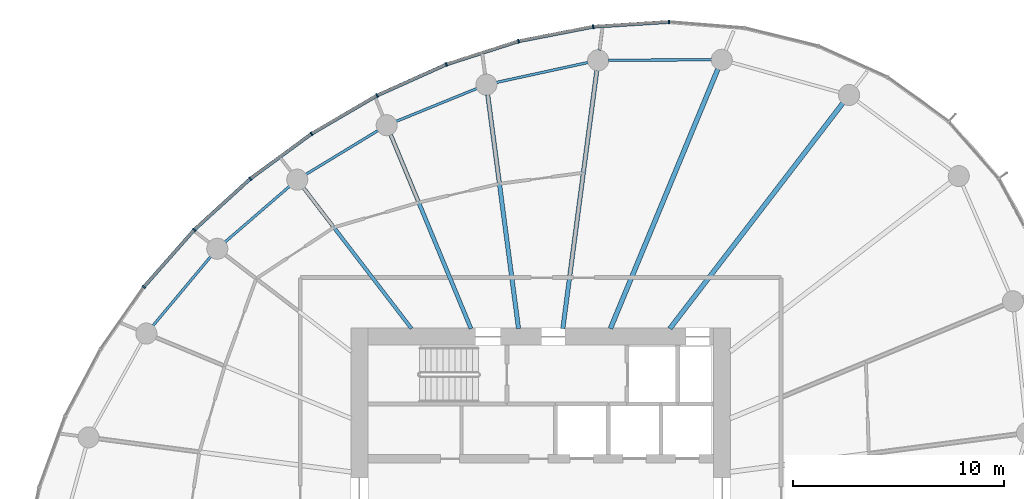
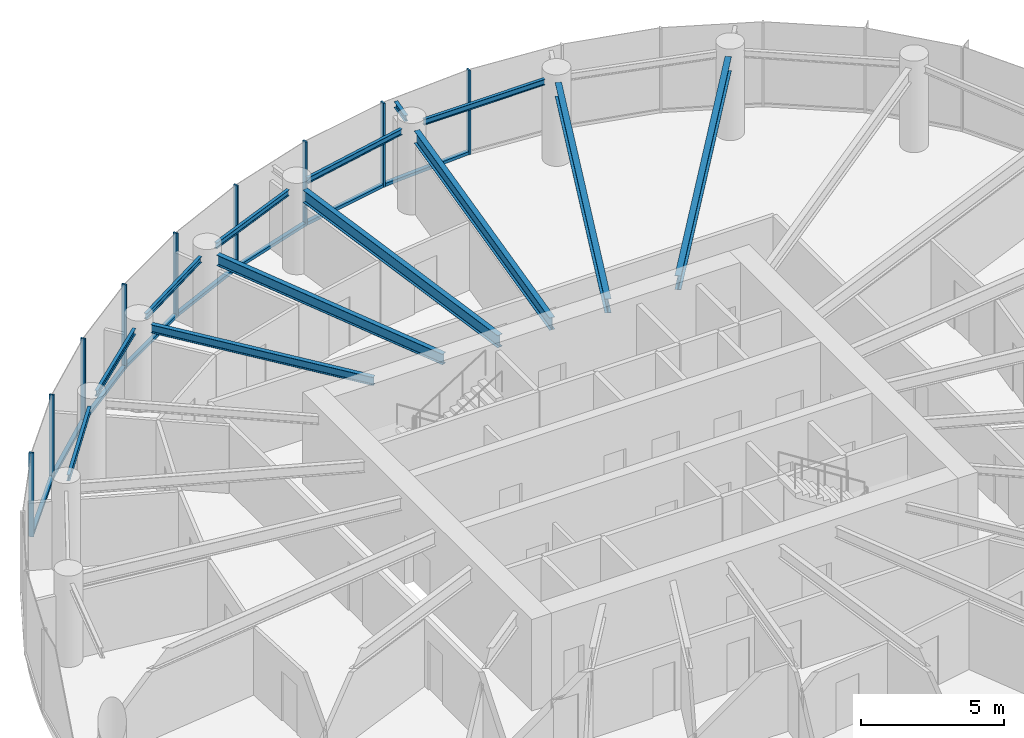
# One storey, part 5 of 14: 17 members, 13 beams, 3 elements without a shape of their own.
"""IFC4 building model written with IfcOpenShell, lengths in metres."""

from ifc_helpers import new_model, si_unit, direction, frame, origin, origin_2d, place, context, subcontext, project, spatial, rectangle, i_section, extrude, source, transform, mapped, material, layer, layer_set, material_profile, profile_set, type_object, element, aggregate, save


model = new_model("IFC4")

# Units and contexts
model_context = context("Model", 3, precision=1e-05, world=origin(), true_north=direction((0.0, 1.0)))
body_context = subcontext(model_context, "Body", "Model", "MODEL_VIEW")
ifc_project = project(units=[si_unit("LENGTHUNIT", "METRE"), si_unit("AREAUNIT", "SQUARE_METRE"), si_unit("VOLUMEUNIT", "CUBIC_METRE"), si_unit("PLANEANGLEUNIT", "RADIAN"), si_unit("MASSUNIT", "GRAM", prefix="KILO")], contexts=[model_context])

# Site, building, storey
site_placement = place(None, origin())
site = spatial("IfcSite", under=ifc_project, at=site_placement, CompositionType="ELEMENT")
building_placement = place(site_placement, origin())
building = spatial("IfcBuilding", under=site, at=building_placement, Name="Spindrift Exchange Tower", CompositionType="ELEMENT")
storey_placement = place(building_placement, frame((0.0, 0.0, 156.5)))
storey = spatial("IfcBuildingStorey", under=building, at=storey_placement, Name="L37", CompositionType="ELEMENT", Elevation=156.5)

# Beams
ifc_material_1 = material(Name="Steel Grade 300", Category="steel")
ifc_material_profile_1 = material_profile(ifc_material_1, i_section(OverallWidth=0.1240234375, OverallDepth=0.248046875, WebThickness=0.0048828125, FlangeThickness=0.008056640625, FilletRadius=0.011962890625, at=origin_2d()), Name="250UB25.7")
ifc_profile_set_1 = profile_set([ifc_material_profile_1], Name="Steel Grade 300")
beam_type_1 = type_object("IfcBeamType", Name="Edge Beam 250UB25.7 Steel Grade 300", PredefinedType="SPANDREL", material=ifc_profile_set_1)
shared_shape_1 = source(origin(), body_context, "Body", "SweptSolid", [
    extrude(i_section(OverallWidth=0.1240234375, OverallDepth=0.248046875, WebThickness=0.0048828125, FlangeThickness=0.008056640625, FilletRadius=0.011962890625, at=origin_2d()), origin(), (0.0, 0.0, 1.0), 4.901123046875),
])
beam_1_placement = place(storey_placement, frame((60.10693359375, 68.728759765625, 3.4560546875), z_axis=(-0.999990609444, -0.004333707747, 0.0), x_axis=(0.004333707747, -0.999990609444, 0.0)))
element("IfcBeam", 1, at=beam_1_placement, inside=storey, type_object=beam_type_1, Name="L37 edge beam E05", PredefinedType="SPANDREL", context=body_context, shape_type="MappedRepresentation", body=[
    mapped(shared_shape_1, transform((0.0, 0.0, 0.0), scale=1.0)),
])
shared_shape_2 = source(origin(), body_context, "Body", "SweptSolid", [
    extrude(i_section(OverallWidth=0.1240234375, OverallDepth=0.248046875, WebThickness=0.0048828125, FlangeThickness=0.008056640625, FilletRadius=0.011962890625, at=origin_2d()), origin(), (0.0, 0.0, 1.0), 4.464111328125),
])
beam_2_placement = place(storey_placement, frame((54.2568359375, 68.603271484375, 3.4560546875), z_axis=(-0.977095837978, -0.212799726048, 0.0), x_axis=(0.212799726048, -0.977095837978, 0.0)))
element("IfcBeam", 2, at=beam_2_placement, inside=storey, type_object=beam_type_1, Name="L37 edge beam E06", PredefinedType="SPANDREL", context=body_context, shape_type="MappedRepresentation", body=[
    mapped(shared_shape_2, transform((0.0, 0.0, 0.0), scale=1.0)),
])
shared_shape_3 = source(origin(), body_context, "Body", "SweptSolid", [
    extrude(i_section(OverallWidth=0.1240234375, OverallDepth=0.248046875, WebThickness=0.0048828125, FlangeThickness=0.008056640625, FilletRadius=0.011962890625, at=origin_2d()), origin(), (0.0, 0.0, 1.0), 4.143798828125),
])
beam_3_placement = place(storey_placement, frame((48.9814453125, 67.3701171875, 3.4560546875), z_axis=(-0.926113706975, -0.377244485385, 0.0), x_axis=(0.377244485385, -0.926113706975, 0.0)))
element("IfcBeam", 3, at=beam_3_placement, inside=storey, type_object=beam_type_1, Name="L37 edge beam E07", PredefinedType="SPANDREL", context=body_context, shape_type="MappedRepresentation", body=[
    mapped(shared_shape_3, transform((0.0, 0.0, 0.0), scale=1.0)),
])
shared_shape_4 = source(origin(), body_context, "Body", "SweptSolid", [
    extrude(i_section(OverallWidth=0.1240234375, OverallDepth=0.248046875, WebThickness=0.0048828125, FlangeThickness=0.008056640625, FilletRadius=0.011962890625, at=origin_2d()), origin(), (0.0, 0.0, 1.0), 4.00634765625),
])
beam_4_placement = place(storey_placement, frame((44.2890625, 65.376220703125, 3.4560546875), z_axis=(-0.854331495603, -0.519728482596, 0.0), x_axis=(0.519728482596, -0.854331495603, 0.0)))
element("IfcBeam", 4, at=beam_4_placement, inside=storey, type_object=beam_type_1, Name="L37 edge beam E08", PredefinedType="SPANDREL", context=body_context, shape_type="MappedRepresentation", body=[
    mapped(shared_shape_4, transform((0.0, 0.0, 0.0), scale=1.0)),
])
shared_shape_5 = source(origin(), body_context, "Body", "SweptSolid", [
    extrude(i_section(OverallWidth=0.1240234375, OverallDepth=0.248046875, WebThickness=0.0048828125, FlangeThickness=0.008056640625, FilletRadius=0.011962890625, at=origin_2d()), origin(), (0.0, 0.0, 1.0), 4.052001953125),
])
beam_5_placement = place(storey_placement, frame((40.093017578125, 62.730712890625, 3.4560546875), z_axis=(-0.756715968535, -0.65374379, 0.0), x_axis=(0.65374379, -0.756715968535, 0.0)))
element("IfcBeam", 5, at=beam_5_placement, inside=storey, type_object=beam_type_1, Name="L37 edge beam E09", PredefinedType="SPANDREL", context=body_context, shape_type="MappedRepresentation", body=[
    mapped(shared_shape_5, transform((0.0, 0.0, 0.0), scale=1.0)),
])
shared_shape_6 = source(origin(), body_context, "Body", "SweptSolid", [
    extrude(i_section(OverallWidth=0.1240234375, OverallDepth=0.248046875, WebThickness=0.0048828125, FlangeThickness=0.008056640625, FilletRadius=0.011962890625, at=origin_2d()), origin(), (0.0, 0.0, 1.0), 4.282958984375),
])
beam_6_placement = place(storey_placement, frame((36.355712890625, 59.399658203125, 3.4560546875), z_axis=(-0.641400288548, -0.767206406289, 0.0), x_axis=(0.767206406289, -0.641400288548, 0.0)))
element("IfcBeam", 6, at=beam_6_placement, inside=storey, type_object=beam_type_1, Name="L37 edge beam E10", PredefinedType="SPANDREL", context=body_context, shape_type="MappedRepresentation", body=[
    mapped(shared_shape_6, transform((0.0, 0.0, 0.0), scale=1.0)),
])
ifc_material_profile_2 = material_profile(ifc_material_1, i_section(OverallWidth=0.22802734375, OverallDepth=0.60205078125, WebThickness=0.010498046875, FlangeThickness=0.014892578125, FilletRadius=0.013916015625, at=origin_2d()), Name="610UB101")
ifc_profile_set_2 = profile_set([ifc_material_profile_2], Name="Steel Grade 300")
beam_type_2 = type_object("IfcBeamType", Name="Floor Beam 610UB101 Steel Grade 300", PredefinedType="BEAM", material=ifc_profile_set_2)
shared_shape_7 = source(origin(), body_context, "Body", "SweptSolid", [
    extrude(i_section(OverallWidth=0.22802734375, OverallDepth=0.60205078125, WebThickness=0.010498046875, FlangeThickness=0.014892578125, FilletRadius=0.013916015625, at=origin_2d()), origin(), (0.0, 0.0, 1.0), 13.480224609375),
])
beam_7_placement = place(storey_placement, frame((58.12646484375, 55.984130859375, 3.279052734375), z_axis=(0.608764179541, 0.793351229726, 0.0), x_axis=(-0.793351229726, 0.608764179541, 0.0)))
element("IfcBeam", 7, at=beam_7_placement, inside=storey, type_object=beam_type_2, Name="L37 radial beam R04A", PredefinedType="BEAM", context=body_context, shape_type="MappedRepresentation", body=[
    mapped(shared_shape_7, transform((0.0, 0.0, 0.0), scale=1.0)),
])
shared_shape_8 = source(origin(), body_context, "Body", "SweptSolid", [
    extrude(i_section(OverallWidth=0.22802734375, OverallDepth=0.60205078125, WebThickness=0.010498046875, FlangeThickness=0.014892578125, FilletRadius=0.013916015625, at=origin_2d()), origin(), (0.0, 0.0, 1.0), 13.31982421875),
])
beam_8_placement = place(storey_placement, frame((55.30615234375, 55.9814453125, 3.279052734375), z_axis=(0.382676632888, 0.923882348918, 0.0), x_axis=(-0.923882348918, 0.382676632888, 0.0)))
element("IfcBeam", 8, at=beam_8_placement, inside=storey, type_object=beam_type_2, Name="L37 radial beam R05A", PredefinedType="BEAM", context=body_context, shape_type="MappedRepresentation", body=[
    mapped(shared_shape_8, transform((0.0, 0.0, 0.0), scale=1.0)),
])
ifc_material_profile_3 = material_profile(ifc_material_1, i_section(OverallWidth=0.208984375, OverallDepth=0.528076171875, WebThickness=0.009521484375, FlangeThickness=0.01318359375, FilletRadius=0.013916015625, at=origin_2d()), Name="530UB82.0")
ifc_profile_set_3 = profile_set([ifc_material_profile_3], Name="Steel Grade 300")
beam_type_3 = type_object("IfcBeamType", Name="Floor Beam 530UB82.0 Steel Grade 300", PredefinedType="BEAM", material=ifc_profile_set_3)
shared_shape_9 = source(origin(), body_context, "Body", "SweptSolid", [
    extrude(i_section(OverallWidth=0.208984375, OverallDepth=0.528076171875, WebThickness=0.009521484375, FlangeThickness=0.01318359375, FilletRadius=0.013916015625, at=origin_2d()), origin(), (0.0, 0.0, 1.0), 12.35498046875),
])
beam_9_placement = place(storey_placement, frame((53.050537109375, 55.980224609375, 3.31591796875), z_axis=(0.130537831721, 0.991443328935, 0.0), x_axis=(-0.991443328935, 0.130537831721, 0.0)))
element("IfcBeam", 9, at=beam_9_placement, inside=storey, type_object=beam_type_3, Name="L37 radial beam R06A", PredefinedType="BEAM", context=body_context, shape_type="MappedRepresentation", body=[
    mapped(shared_shape_9, transform((0.0, 0.0, 0.0), scale=1.0)),
])
shared_shape_10 = source(origin(), body_context, "Body", "SweptSolid", [
    extrude(i_section(OverallWidth=0.208984375, OverallDepth=0.528076171875, WebThickness=0.009521484375, FlangeThickness=0.01318359375, FilletRadius=0.013916015625, at=origin_2d()), origin(), (0.0, 0.0, 1.0), 11.19091796875),
])
beam_10_placement = place(storey_placement, frame((50.949462890625, 55.980224609375, 3.31591796875), z_axis=(-0.130524489434, 0.991445085548, 0.0), x_axis=(-0.991445085548, -0.130524489434, 0.0)))
element("IfcBeam", 10, at=beam_10_placement, inside=storey, type_object=beam_type_3, Name="L37 radial beam R07A", PredefinedType="BEAM", context=body_context, shape_type="MappedRepresentation", body=[
    mapped(shared_shape_10, transform((0.0, 0.0, 0.0), scale=1.0)),
])
ifc_material_profile_4 = material_profile(ifc_material_1, i_section(OverallWidth=0.18994140625, OverallDepth=0.4541015625, WebThickness=0.008544921875, FlangeThickness=0.0126953125, FilletRadius=0.013916015625, at=origin_2d()), Name="460UB67.1")
ifc_profile_set_4 = profile_set([ifc_material_profile_4], Name="Steel Grade 300")
beam_type_4 = type_object("IfcBeamType", Name="Floor Beam 460UB67.1 Steel Grade 300", PredefinedType="BEAM", material=ifc_profile_set_4)
shared_shape_11 = source(origin(), body_context, "Body", "SweptSolid", [
    extrude(i_section(OverallWidth=0.18994140625, OverallDepth=0.4541015625, WebThickness=0.008544921875, FlangeThickness=0.0126953125, FilletRadius=0.013916015625, at=origin_2d()), origin(), (0.0, 0.0, 1.0), 9.958984375),
])
beam_11_placement = place(storey_placement, frame((48.69384765625, 55.9814453125, 3.35302734375), z_axis=(-0.382673670509, 0.923883575944, 0.0), x_axis=(-0.923883575944, -0.382673670509, 0.0)))
element("IfcBeam", 11, at=beam_11_placement, inside=storey, type_object=beam_type_4, Name="L37 radial beam R08A", PredefinedType="BEAM", context=body_context, shape_type="MappedRepresentation", body=[
    mapped(shared_shape_11, transform((0.0, 0.0, 0.0), scale=1.0)),
])
ifc_material_profile_5 = material_profile(ifc_material_1, i_section(OverallWidth=0.1708984375, OverallDepth=0.35205078125, WebThickness=0.0068359375, FlangeThickness=0.009765625, FilletRadius=0.013916015625, at=origin_2d()), Name="360UB44.7")
ifc_profile_set_5 = profile_set([ifc_material_profile_5], Name="Steel Grade 300")
beam_type_5 = type_object("IfcBeamType", Name="Floor Beam 360UB44.7 Steel Grade 300", PredefinedType="BEAM", material=ifc_profile_set_5)
shared_shape_12 = source(origin(), body_context, "Body", "SweptSolid", [
    extrude(i_section(OverallWidth=0.1708984375, OverallDepth=0.35205078125, WebThickness=0.0068359375, FlangeThickness=0.009765625, FilletRadius=0.013916015625, at=origin_2d()), origin(), (0.0, 0.0, 1.0), 8.419189453125),
])
beam_12_placement = place(storey_placement, frame((45.87353515625, 55.984130859375, 3.404052734375), z_axis=(-0.608755970582, 0.79335752866, 0.0), x_axis=(-0.79335752866, -0.608755970582, 0.0)))
element("IfcBeam", 12, at=beam_12_placement, inside=storey, type_object=beam_type_5, Name="L37 radial beam R09A", PredefinedType="BEAM", context=body_context, shape_type="MappedRepresentation", body=[
    mapped(shared_shape_12, transform((0.0, 0.0, 0.0), scale=1.0)),
])
ifc_material_profile_6 = material_profile(ifc_material_1, i_section(OverallWidth=0.14599609375, OverallDepth=0.251953125, WebThickness=0.006103515625, FlangeThickness=0.008544921875, FilletRadius=0.011962890625, at=origin_2d()), Name="250UB31.4")
ifc_profile_set_6 = profile_set([ifc_material_profile_6], Name="Steel Grade 300")
beam_type_6 = type_object("IfcBeamType", Name="Cantilever Beam 250UB31.4 Steel Grade 300", PredefinedType="BEAM", material=ifc_profile_set_6)
shared_shape_13 = source(origin(), body_context, "Body", "SweptSolid", [
    extrude(i_section(OverallWidth=0.14599609375, OverallDepth=0.251953125, WebThickness=0.006103515625, FlangeThickness=0.008544921875, FilletRadius=0.011962890625, at=origin_2d()), origin(), (0.0, 0.0, 1.0), 0.951416015625),
])
beam_13_placement = place(storey_placement, frame((54.78857421875, 69.18115234375, 3.4541015625), z_axis=(0.13060053092, 0.991435071663, 0.0), x_axis=(-0.991435071663, 0.13060053092, 0.0)))
element("IfcBeam", 13, at=beam_13_placement, inside=storey, type_object=beam_type_6, Name="L37 cantilever beam R06T", PredefinedType="BEAM", context=body_context, shape_type="MappedRepresentation", body=[
    mapped(shared_shape_13, transform((0.0, 0.0, 0.0), scale=1.0)),
])

# Curtain wall, members
ifc_material_2 = material(Name="Fritted laminated glass with bronze frame", Category="glass")
ifc_layer = layer(ifc_material_2, 0.179931640625)
ifc_layer_set = layer_set([ifc_layer], Name="ZONE 3 BRONZE FRITTED WALL")
curtain_wall_type = type_object("IfcCurtainWallType", Name="ZONE 3 BRONZE FRITTED WALL", PredefinedType="NOTDEFINED", material=ifc_layer_set)
curtain_wall_1_placement = place(storey_placement, origin())
curtain_wall_1 = element("IfcCurtainWall", 14, at=curtain_wall_1_placement, inside=storey, type_object=curtain_wall_type, Name="L37 Zone 3 Bronze Fritted Wall run 2", PredefinedType="NOTDEFINED")
ifc_material_3 = material(Name="Bronze anodised aluminium", Category="aluminium")
ifc_material_profile_7 = material_profile(ifc_material_3, rectangle(XDim=0.159912109375, YDim=0.1298828125, at=origin_2d()), Name="ZONE 3 BRONZE FRITTED WALL TRANSOM 160X130")
ifc_profile_set_7 = profile_set([ifc_material_profile_7], Name="Bronze anodised aluminium")
member_type_1 = type_object("IfcMemberType", Name="ZONE 3 BRONZE FRITTED WALL TRANSOM 160X130", PredefinedType="USERDEFINED", material=ifc_profile_set_7)
shared_shape_14 = source(origin(), body_context, "Body", "SweptSolid", [
    extrude(rectangle(XDim=0.159912109375, YDim=0.1298828125, at=origin_2d()), origin(), (0.0, 0.0, 1.0), 3.53076171875),
])
member_1_placement = place(storey_placement, frame((50.9208984375, 69.598876953125, 0.06494140625), z_axis=(-0.952150791062, -0.305628648983, 0.0), x_axis=(0.305628648983, -0.952150791062, 0.0)))
member_1 = element("IfcMember", 15, at=member_1_placement, type_object=member_type_1, Name="L37 transom CW-3.8", ObjectType="TRANSOM", PredefinedType="USERDEFINED", context=body_context, shape_type="MappedRepresentation", body=[
    mapped(shared_shape_14, transform((0.0, 0.0, 0.0), scale=1.0)),
])
member_2_placement = place(storey_placement, frame((47.493896484375, 68.494873046875, 0.06494140625), z_axis=(-0.912406052899, -0.409286201372, 0.0), x_axis=(0.409286201372, -0.912406052899, 0.0)))
member_2 = element("IfcMember", 16, at=member_2_placement, type_object=member_type_1, Name="L37 transom CW-3.9", ObjectType="TRANSOM", PredefinedType="USERDEFINED", context=body_context, shape_type="MappedRepresentation", body=[
    mapped(shared_shape_14, transform((0.0, 0.0, 0.0), scale=1.0)),
])
member_3_placement = place(storey_placement, frame((44.210205078125, 67.017822265625, 0.06494140625), z_axis=(-0.863545580048, -0.50427079152, 0.0), x_axis=(0.50427079152, -0.863545580048, 0.0)))
member_3 = element("IfcMember", 17, at=member_3_placement, type_object=member_type_1, Name="L37 transom CW-3.10", ObjectType="TRANSOM", PredefinedType="USERDEFINED", context=body_context, shape_type="MappedRepresentation", body=[
    mapped(shared_shape_14, transform((0.0, 0.0, 0.0), scale=1.0)),
])
member_4_placement = place(storey_placement, frame((38.202880859375, 63.064453125, 0.06494140625), z_axis=(-0.739088468668, -0.673608369516, 0.0), x_axis=(0.673608369516, -0.739088468668, 0.0)))
member_4 = element("IfcMember", 18, at=member_4_placement, type_object=member_type_1, Name="L37 transom CW-3.12", ObjectType="TRANSOM", PredefinedType="USERDEFINED", context=body_context, shape_type="MappedRepresentation", body=[
    mapped(shared_shape_14, transform((0.0, 0.0, 0.0), scale=1.0)),
])

# Curtain wall, member
curtain_wall_2_placement = place(storey_placement, origin())
curtain_wall_2 = element("IfcCurtainWall", 19, at=curtain_wall_2_placement, inside=storey, type_object=curtain_wall_type, Name="L37 Zone 3 Bronze Fritted Wall run 3", PredefinedType="NOTDEFINED")
member_5_placement = place(storey_placement, frame((35.544189453125, 60.63623046875, 0.06494140625), z_axis=(-0.661685671384, -0.749781349652, 0.0), x_axis=(0.749781349652, -0.661685671384, 0.0)))
member_5 = element("IfcMember", 20, at=member_5_placement, type_object=member_type_1, Name="L37 transom CW-3.13", ObjectType="TRANSOM", PredefinedType="USERDEFINED", context=body_context, shape_type="MappedRepresentation", body=[
    mapped(shared_shape_14, transform((0.0, 0.0, 0.0), scale=1.0)),
])

# Member
shared_shape_15 = source(origin(), body_context, "Body", "SweptSolid", [
    extrude(rectangle(XDim=0.159912109375, YDim=0.1298828125, at=origin_2d()), origin(), (0.0, 0.0, 1.0), 3.531005859375),
])
member_6_placement = place(storey_placement, frame((41.102783203125, 65.198974609375, 0.06494140625), z_axis=(-0.805991543946, -0.591927048788, 0.0), x_axis=(0.591927048788, -0.805991543946, 0.0)))
member_6 = element("IfcMember", 21, at=member_6_placement, type_object=member_type_1, Name="L37 transom CW-3.11", ObjectType="TRANSOM", PredefinedType="USERDEFINED", context=body_context, shape_type="MappedRepresentation", body=[
    mapped(shared_shape_15, transform((0.0, 0.0, 0.0), scale=1.0)),
])

shared_shape_16 = source(origin(), body_context, "Body", "SweptSolid", [
    extrude(rectangle(XDim=0.159912109375, YDim=0.1298828125, at=origin_2d()), origin(), (0.0, 0.0, 1.0), 3.5302734375),
])
member_7_placement = place(storey_placement, frame((54.453857421875, 70.29052734375, 0.06494140625), z_axis=(-0.981588746367, -0.191006630792, 0.0), x_axis=(0.191006630792, -0.981588746367, 0.0)))
member_7 = element("IfcMember", 22, at=member_7_placement, type_object=member_type_1, Name="L37 transom CW-3.7", ObjectType="TRANSOM", PredefinedType="USERDEFINED", context=body_context, shape_type="MappedRepresentation", body=[
    mapped(shared_shape_16, transform((0.0, 0.0, 0.0), scale=1.0)),
])

# Curtain wall, member
curtain_wall_3_placement = place(storey_placement, origin())
curtain_wall_3 = element("IfcCurtainWall", 23, at=curtain_wall_3_placement, inside=storey, type_object=curtain_wall_type, Name="L37 Zone 3 Bronze Fritted Wall run 1", PredefinedType="NOTDEFINED")
ifc_material_profile_8 = material_profile(ifc_material_3, rectangle(XDim=0.070068359375, YDim=0.179931640625, at=origin_2d()), Name="ZONE 3 BRONZE FRITTED WALL MULLION 70X180")
ifc_profile_set_8 = profile_set([ifc_material_profile_8], Name="Bronze anodised aluminium")
member_type_2 = type_object("IfcMemberType", Name="ZONE 3 BRONZE FRITTED WALL MULLION 70X180", PredefinedType="MULLION", material=ifc_profile_set_8)
shared_shape_17 = source(origin(), body_context, "Body", "SweptSolid", [
    extrude(rectangle(XDim=0.070068359375, YDim=0.179931640625, at=origin_2d()), origin(), (0.0, 0.0, 1.0), 3.580078125),
])
member_8_placement = place(storey_placement, frame((58.080810546875, 70.525634765625, 0.0), z_axis=(0.0, 0.0, 1.0), x_axis=(-0.999968436581, 0.007945177312, 0.0)))
member_8 = element("IfcMember", 24, at=member_8_placement, type_object=member_type_2, Name="L37 mullion CW-3.6", PredefinedType="MULLION", context=body_context, shape_type="MappedRepresentation", body=[
    mapped(shared_shape_17, transform((0.0, 0.0, 0.0), scale=1.0)),
])

# Member
member_9_placement = place(storey_placement, frame((54.48828125, 70.297119140625, 0.0), z_axis=(0.0, 0.0, 1.0), x_axis=(-0.991839391801, -0.127493611103, 0.0)))
member_9 = element("IfcMember", 25, at=member_9_placement, type_object=member_type_2, Name="L37 mullion CW-3.7", PredefinedType="MULLION", context=body_context, shape_type="MappedRepresentation", body=[
    mapped(shared_shape_17, transform((0.0, 0.0, 0.0), scale=1.0)),
])

member_10_placement = place(storey_placement, frame((50.9541015625, 69.609619140625, 0.0), z_axis=(0.0, 0.0, 1.0), x_axis=(-0.968571823125, -0.248734041594, 0.0)))
member_10 = element("IfcMember", 26, at=member_10_placement, type_object=member_type_2, Name="L37 mullion CW-3.8", PredefinedType="MULLION", context=body_context, shape_type="MappedRepresentation", body=[
    mapped(shared_shape_17, transform((0.0, 0.0, 0.0), scale=1.0)),
])

member_11_placement = place(storey_placement, frame((47.52587890625, 68.50927734375, 0.0), z_axis=(0.0, 0.0, 1.0), x_axis=(-0.933722443922, -0.357997762166, 0.0)))
member_11 = element("IfcMember", 27, at=member_11_placement, type_object=member_type_2, Name="L37 mullion CW-3.9", PredefinedType="MULLION", context=body_context, shape_type="MappedRepresentation", body=[
    mapped(shared_shape_17, transform((0.0, 0.0, 0.0), scale=1.0)),
])

member_12_placement = place(storey_placement, frame((44.240478515625, 67.035400390625, 0.0), z_axis=(0.0, 0.0, 1.0), x_axis=(-0.889249049799, -0.457423356894, 0.0)))
member_12 = element("IfcMember", 28, at=member_12_placement, type_object=member_type_2, Name="L37 mullion CW-3.10", PredefinedType="MULLION", context=body_context, shape_type="MappedRepresentation", body=[
    mapped(shared_shape_17, transform((0.0, 0.0, 0.0), scale=1.0)),
])

member_13_placement = place(storey_placement, frame((41.130859375, 65.2197265625, 0.0), z_axis=(0.0, 0.0, 1.0), x_axis=(-0.835916795872, -0.548856183694, 0.0)))
member_13 = element("IfcMember", 29, at=member_13_placement, type_object=member_type_2, Name="L37 mullion CW-3.11", PredefinedType="MULLION", context=body_context, shape_type="MappedRepresentation", body=[
    mapped(shared_shape_17, transform((0.0, 0.0, 0.0), scale=1.0)),
])

member_14_placement = place(storey_placement, frame((38.228759765625, 63.088134765625, 0.0), z_axis=(0.0, 0.0, 1.0), x_axis=(-0.77359943165, -0.633674931925, 0.0)))
member_14 = element("IfcMember", 30, at=member_14_placement, type_object=member_type_2, Name="L37 mullion CW-3.12", PredefinedType="MULLION", context=body_context, shape_type="MappedRepresentation", body=[
    mapped(shared_shape_17, transform((0.0, 0.0, 0.0), scale=1.0)),
])

aggregate(curtain_wall_1, [member_9, member_7, member_10, member_1, member_11, member_2, member_12, member_3, member_13, member_6, member_14, member_4])

member_15_placement = place(storey_placement, frame((35.5673828125, 60.66259765625, 0.0), z_axis=(0.0, 0.0, 1.0), x_axis=(-0.70141614386, -0.71275198571, 0.0)))
member_15 = element("IfcMember", 31, at=member_15_placement, type_object=member_type_2, Name="L37 mullion CW-3.13", PredefinedType="MULLION", context=body_context, shape_type="MappedRepresentation", body=[
    mapped(shared_shape_17, transform((0.0, 0.0, 0.0), scale=1.0)),
])

member_16_placement = place(storey_placement, frame((33.184814453125, 57.962890625, 0.0), z_axis=(0.0, 0.0, 1.0), x_axis=(-0.617748368486, -0.786375834593, 0.0)))
member_16 = element("IfcMember", 32, at=member_16_placement, type_object=member_type_2, Name="L37 mullion CW-3.14", PredefinedType="MULLION", context=body_context, shape_type="MappedRepresentation", body=[
    mapped(shared_shape_17, transform((0.0, 0.0, 0.0), scale=1.0)),
])

aggregate(curtain_wall_2, [member_15, member_5, member_16])

shared_shape_18 = source(origin(), body_context, "Body", "SweptSolid", [
    extrude(rectangle(XDim=0.159912109375, YDim=0.1298828125, at=origin_2d()), origin(), (0.0, 0.0, 1.0), 3.52978515625),
])
member_17_placement = place(storey_placement, frame((58.0458984375, 70.5234375, 0.06494140625), z_axis=(-0.997982252094, -0.063493499717, 0.0), x_axis=(0.063493499717, -0.997982252094, 0.0)))
member_17 = element("IfcMember", 33, at=member_17_placement, type_object=member_type_1, Name="L37 transom CW-3.6", ObjectType="TRANSOM", PredefinedType="USERDEFINED", context=body_context, shape_type="MappedRepresentation", body=[
    mapped(shared_shape_18, transform((0.0, 0.0, 0.0), scale=1.0)),
])

aggregate(curtain_wall_3, [member_8, member_17])

save(model, "model.ifc")
